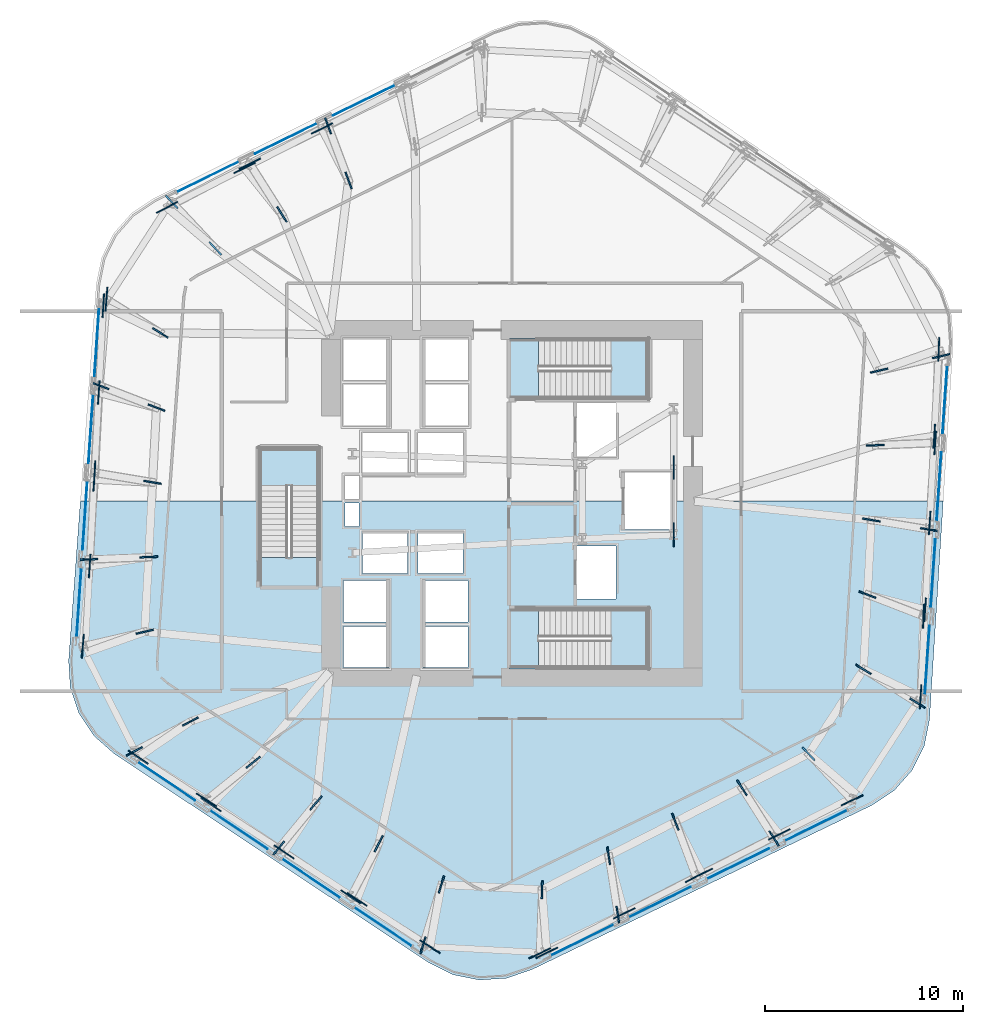
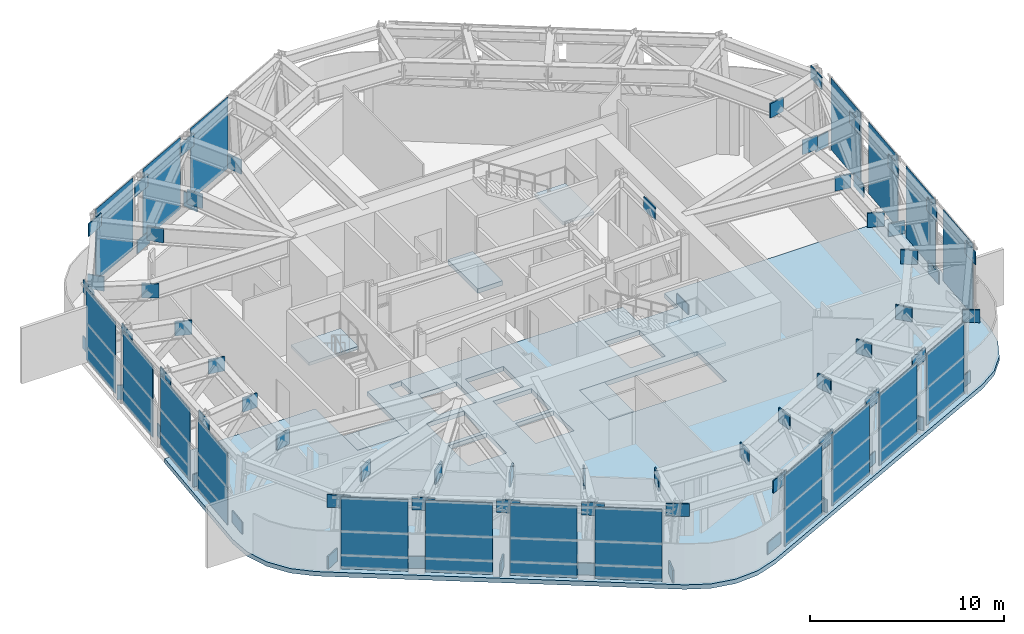
# One storey, part 7 of 14: 88 plates, 7 slabs, 8 elements without a shape of their own.
"""IFC4 building model written with IfcOpenShell, lengths in metres."""

from ifc_helpers import new_model, si_unit, direction, frame, origin, origin_2d, place, context, subcontext, project, spatial, polyline, rectangle, outline, extrude, material, layer, layer_set, type_object, element, aggregate, save


model = new_model("IFC4")

# Units and contexts
model_context = context("Model", 3, precision=1e-05, world=origin(), true_north=direction((0.0, 1.0)))
body_context = subcontext(model_context, "Body", "Model", "MODEL_VIEW")
ifc_project = project(units=[si_unit("LENGTHUNIT", "METRE"), si_unit("AREAUNIT", "SQUARE_METRE"), si_unit("VOLUMEUNIT", "CUBIC_METRE"), si_unit("PLANEANGLEUNIT", "RADIAN"), si_unit("MASSUNIT", "GRAM", prefix="KILO")], contexts=[model_context])

# Site, building, storey
site_placement = place(None, origin())
site = spatial("IfcSite", under=ifc_project, at=site_placement, CompositionType="ELEMENT")
building_placement = place(site_placement, origin())
building = spatial("IfcBuilding", under=site, at=building_placement, Name="Valkerne Bourse Tower", CompositionType="ELEMENT")
storey_placement = place(building_placement, frame((0.0, 0.0, 135.199951171875)))
storey = spatial("IfcBuildingStorey", under=building, at=storey_placement, Name="L34", CompositionType="ELEMENT", Elevation=135.199951171875)

# Curtain wall, plates
ifc_material_1 = material(Name="Aluminium AA 6063-T6", Category="aluminium")
ifc_layer_1 = layer(ifc_material_1, 0.25)
ifc_layer_set_1 = layer_set([ifc_layer_1], Name="Aluminium AA 6063-T6")
curtain_wall_type = type_object("IfcCurtainWallType", Name="CW-06", PredefinedType="NOTDEFINED", material=ifc_layer_set_1)
curtain_wall_1_placement = place(storey_placement, origin())
curtain_wall_1 = element("IfcCurtainWall", 1, at=curtain_wall_1_placement, inside=storey, type_object=curtain_wall_type, Name="L34 Hexagonal Stick Curtain Wall Face 2", PredefinedType="NOTDEFINED")
ifc_material_2 = material(Name="Bronze Anodised Aluminium AA 6063-T6", Category="aluminium")
ifc_layer_2 = layer(ifc_material_2, 0.0400390625)
ifc_layer_set_2 = layer_set([ifc_layer_2], Name="Bronze Anodised Aluminium AA 6063-T6")
plate_type_1 = type_object("IfcPlateType", Name="CW-PNL-LOUVRE-40", PredefinedType="CURTAIN_PANEL", material=ifc_layer_set_2)
plate_1_placement = place(storey_placement, frame((39.341064453125, 47.206787109375, 0.030029296875), z_axis=(0.0, 0.0, 1.0), x_axis=(-0.898029964785, -0.439934293216, 0.0)))
plate_1 = element("IfcPlate", 2, at=plate_1_placement, type_object=plate_type_1, Name="CW-L34-F2 Curtain Panel 01", PredefinedType="CURTAIN_PANEL", context=body_context, shape_type="SweptSolid", body=[
    extrude(rectangle(XDim=3.462890625, YDim=0.0400390625, at=origin_2d()), origin(), (0.0, 0.0, 1.0), 4.52001953125),
])
plate_2_placement = place(storey_placement, frame((35.405029296875, 45.278564453125, 0.030029296875), z_axis=(0.0, 0.0, 1.0), x_axis=(-0.898025366762, -0.439943678955, 0.0)))
plate_2 = element("IfcPlate", 3, at=plate_2_placement, type_object=plate_type_1, Name="CW-L34-F2 Curtain Panel 02", PredefinedType="CURTAIN_PANEL", context=body_context, shape_type="SweptSolid", body=[
    extrude(rectangle(XDim=3.462890625, YDim=0.0400390625, at=origin_2d()), origin(), (0.0, 0.0, 1.0), 4.52001953125),
])
plate_3_placement = place(storey_placement, frame((31.468994140625, 43.350341796875, 0.030029296875), z_axis=(0.0, 0.0, 1.0), x_axis=(-0.898020950754, -0.439952692919, 0.0)))
plate_3 = element("IfcPlate", 4, at=plate_3_placement, type_object=plate_type_1, Name="CW-L34-F2 Curtain Panel 03", PredefinedType="CURTAIN_PANEL", context=body_context, shape_type="SweptSolid", body=[
    extrude(rectangle(XDim=3.462890625, YDim=0.0400390625, at=origin_2d()), origin(), (0.0, 0.0, 1.0), 4.52001953125),
])
aggregate(curtain_wall_1, [plate_1, plate_2, plate_3])

curtain_wall_2_placement = place(storey_placement, origin())
curtain_wall_2 = element("IfcCurtainWall", 5, at=curtain_wall_2_placement, inside=storey, type_object=curtain_wall_type, Name="L34 Hexagonal Stick Curtain Wall Face 3", PredefinedType="NOTDEFINED")
plate_4_placement = place(storey_placement, frame((25.869140625, 35.0166015625, 0.030029296875), z_axis=(0.0, 0.0, 1.0), x_axis=(-0.068012017201, -0.997684501993, 0.0)))
plate_4 = element("IfcPlate", 6, at=plate_4_placement, type_object=plate_type_1, Name="CW-L34-F3 Curtain Panel 00", PredefinedType="CURTAIN_PANEL", context=body_context, shape_type="SweptSolid", body=[
    extrude(rectangle(XDim=3.462890625, YDim=0.0400390625, at=origin_2d()), origin(), (0.0, 0.0, 1.0), 4.52001953125),
])
plate_5_placement = place(storey_placement, frame((25.571044921875, 30.643798828125, 0.030029296875), z_axis=(0.0, 0.0, 1.0), x_axis=(-0.068013565363, -0.997684396453, 0.0)))
plate_5 = element("IfcPlate", 7, at=plate_5_placement, type_object=plate_type_1, Name="CW-L34-F3 Curtain Panel 01", PredefinedType="CURTAIN_PANEL", context=body_context, shape_type="SweptSolid", body=[
    extrude(rectangle(XDim=3.462890625, YDim=0.0400390625, at=origin_2d()), origin(), (0.0, 0.0, 1.0), 4.52001953125),
])
plate_6_placement = place(storey_placement, frame((25.272705078125, 26.27099609375, 0.030029296875), z_axis=(0.0, 0.0, 1.0), x_axis=(-0.068012017201, -0.997684501993, 0.0)))
plate_6 = element("IfcPlate", 8, at=plate_6_placement, type_object=plate_type_1, Name="CW-L34-F3 Curtain Panel 02", PredefinedType="CURTAIN_PANEL", context=body_context, shape_type="SweptSolid", body=[
    extrude(rectangle(XDim=3.462890625, YDim=0.0400390625, at=origin_2d()), origin(), (0.0, 0.0, 1.0), 4.52001953125),
])
plate_7_placement = place(storey_placement, frame((24.974853515625, 21.898193359375, 0.030029296875), z_axis=(0.0, 0.0, 1.0), x_axis=(-0.068013565363, -0.997684396453, 0.0)))
plate_7 = element("IfcPlate", 9, at=plate_7_placement, type_object=plate_type_1, Name="CW-L34-F3 Curtain Panel 03", PredefinedType="CURTAIN_PANEL", context=body_context, shape_type="SweptSolid", body=[
    extrude(rectangle(XDim=3.462890625, YDim=0.0400390625, at=origin_2d()), origin(), (0.0, 0.0, 1.0), 4.52001953125),
])
aggregate(curtain_wall_2, [plate_4, plate_5, plate_6, plate_7])

curtain_wall_3_placement = place(storey_placement, origin())
curtain_wall_3 = element("IfcCurtainWall", 10, at=curtain_wall_3_placement, inside=storey, type_object=curtain_wall_type, Name="L34 Hexagonal Stick Curtain Wall Face 4", PredefinedType="NOTDEFINED")
plate_8_placement = place(storey_placement, frame((29.391845703125, 12.881591796875, 0.030029296875), z_axis=(0.0, 0.0, 1.0), x_axis=(0.830015933895, -0.557739678955, 0.0)))
plate_8 = element("IfcPlate", 11, at=plate_8_placement, type_object=plate_type_1, Name="CW-L34-F4 Curtain Panel 00", PredefinedType="CURTAIN_PANEL", context=body_context, shape_type="SweptSolid", body=[
    extrude(rectangle(XDim=3.463134765625, YDim=0.0400390625, at=origin_2d()), origin(), (0.0, 0.0, 1.0), 4.52001953125),
])
plate_9_placement = place(storey_placement, frame((33.02978515625, 10.43701171875, 0.030029296875), z_axis=(0.0, 0.0, 1.0), x_axis=(0.830008836501, -0.557750240996, 0.0)))
plate_9 = element("IfcPlate", 12, at=plate_9_placement, type_object=plate_type_1, Name="CW-L34-F4 Curtain Panel 01", PredefinedType="CURTAIN_PANEL", context=body_context, shape_type="SweptSolid", body=[
    extrude(rectangle(XDim=3.462890625, YDim=0.0400390625, at=origin_2d()), origin(), (0.0, 0.0, 1.0), 4.52001953125),
])
plate_10_placement = place(storey_placement, frame((36.667724609375, 7.992431640625, 0.030029296875), z_axis=(0.0, 0.0, 1.0), x_axis=(0.830015933895, -0.557739678955, 0.0)))
plate_10 = element("IfcPlate", 13, at=plate_10_placement, type_object=plate_type_1, Name="CW-L34-F4 Curtain Panel 02", PredefinedType="CURTAIN_PANEL", context=body_context, shape_type="SweptSolid", body=[
    extrude(rectangle(XDim=3.463134765625, YDim=0.0400390625, at=origin_2d()), origin(), (0.0, 0.0, 1.0), 4.52001953125),
])
plate_11_placement = place(storey_placement, frame((40.305908203125, 5.5478515625, 0.030029296875), z_axis=(0.0, 0.0, 1.0), x_axis=(0.830008836501, -0.557750240996, 0.0)))
plate_11 = element("IfcPlate", 14, at=plate_11_placement, type_object=plate_type_1, Name="CW-L34-F4 Curtain Panel 03", PredefinedType="CURTAIN_PANEL", context=body_context, shape_type="SweptSolid", body=[
    extrude(rectangle(XDim=3.462890625, YDim=0.0400390625, at=origin_2d()), origin(), (0.0, 0.0, 1.0), 4.52001953125),
])
aggregate(curtain_wall_3, [plate_8, plate_9, plate_10, plate_11])

curtain_wall_4_placement = place(storey_placement, origin())
curtain_wall_4 = element("IfcCurtainWall", 15, at=curtain_wall_4_placement, inside=storey, type_object=curtain_wall_type, Name="L34 Hexagonal Stick Curtain Wall Face 5", PredefinedType="NOTDEFINED")
plate_12_placement = place(storey_placement, frame((50.322998046875, 4.864990234375, 0.030029296875), z_axis=(0.0, 0.0, 1.0), x_axis=(0.898025366762, 0.439943678955, 0.0)))
plate_12 = element("IfcPlate", 16, at=plate_12_placement, type_object=plate_type_1, Name="CW-L34-F5 Curtain Panel 00", PredefinedType="CURTAIN_PANEL", context=body_context, shape_type="SweptSolid", body=[
    extrude(rectangle(XDim=3.462890625, YDim=0.0400390625, at=origin_2d()), origin(), (0.0, 0.0, 1.0), 4.52001953125),
])
plate_13_placement = place(storey_placement, frame((54.2587890625, 6.793212890625, 0.030029296875), z_axis=(0.0, 0.0, 1.0), x_axis=(0.898029964785, 0.439934293216, 0.0)))
plate_13 = element("IfcPlate", 17, at=plate_13_placement, type_object=plate_type_1, Name="CW-L34-F5 Curtain Panel 01", PredefinedType="CURTAIN_PANEL", context=body_context, shape_type="SweptSolid", body=[
    extrude(rectangle(XDim=3.462890625, YDim=0.0400390625, at=origin_2d()), origin(), (0.0, 0.0, 1.0), 4.52001953125),
])
plate_14_placement = place(storey_placement, frame((58.195068359375, 8.721435546875, 0.030029296875), z_axis=(0.0, 0.0, 1.0), x_axis=(0.898025366762, 0.439943678955, 0.0)))
plate_14 = element("IfcPlate", 18, at=plate_14_placement, type_object=plate_type_1, Name="CW-L34-F5 Curtain Panel 02", PredefinedType="CURTAIN_PANEL", context=body_context, shape_type="SweptSolid", body=[
    extrude(rectangle(XDim=3.462890625, YDim=0.0400390625, at=origin_2d()), origin(), (0.0, 0.0, 1.0), 4.52001953125),
])
plate_15_placement = place(storey_placement, frame((62.131103515625, 10.64990234375, 0.030029296875), z_axis=(0.0, 0.0, 1.0), x_axis=(0.898020950754, 0.439952692919, 0.0)))
plate_15 = element("IfcPlate", 19, at=plate_15_placement, type_object=plate_type_1, Name="CW-L34-F5 Curtain Panel 03", PredefinedType="CURTAIN_PANEL", context=body_context, shape_type="SweptSolid", body=[
    extrude(rectangle(XDim=3.462890625, YDim=0.0400390625, at=origin_2d()), origin(), (0.0, 0.0, 1.0), 4.52001953125),
])
aggregate(curtain_wall_4, [plate_12, plate_13, plate_14, plate_15])

curtain_wall_5_placement = place(storey_placement, origin())
curtain_wall_5 = element("IfcCurtainWall", 20, at=curtain_wall_5_placement, inside=storey, type_object=curtain_wall_type, Name="L34 Hexagonal Stick Curtain Wall Face 6", PredefinedType="NOTDEFINED")
plate_16_placement = place(storey_placement, frame((67.73095703125, 18.9833984375, 0.030029296875), z_axis=(0.0, 0.0, 1.0), x_axis=(0.068012017201, 0.997684501993, 0.0)))
plate_16 = element("IfcPlate", 21, at=plate_16_placement, type_object=plate_type_1, Name="CW-L34-F6 Curtain Panel 00", PredefinedType="CURTAIN_PANEL", context=body_context, shape_type="SweptSolid", body=[
    extrude(rectangle(XDim=3.462890625, YDim=0.0400390625, at=origin_2d()), origin(), (0.0, 0.0, 1.0), 4.52001953125),
])
plate_17_placement = place(storey_placement, frame((68.029052734375, 23.356201171875, 0.030029296875), z_axis=(0.0, 0.0, 1.0), x_axis=(0.068013565363, 0.997684396453, 0.0)))
plate_17 = element("IfcPlate", 22, at=plate_17_placement, type_object=plate_type_1, Name="CW-L34-F6 Curtain Panel 01", PredefinedType="CURTAIN_PANEL", context=body_context, shape_type="SweptSolid", body=[
    extrude(rectangle(XDim=3.462890625, YDim=0.0400390625, at=origin_2d()), origin(), (0.0, 0.0, 1.0), 4.52001953125),
])
plate_18_placement = place(storey_placement, frame((68.3271484375, 27.72900390625, 0.030029296875), z_axis=(0.0, 0.0, 1.0), x_axis=(0.068012017201, 0.997684501993, 0.0)))
plate_18 = element("IfcPlate", 23, at=plate_18_placement, type_object=plate_type_1, Name="CW-L34-F6 Curtain Panel 02", PredefinedType="CURTAIN_PANEL", context=body_context, shape_type="SweptSolid", body=[
    extrude(rectangle(XDim=3.462890625, YDim=0.0400390625, at=origin_2d()), origin(), (0.0, 0.0, 1.0), 4.52001953125),
])
plate_19_placement = place(storey_placement, frame((68.625244140625, 32.101806640625, 0.030029296875), z_axis=(0.0, 0.0, 1.0), x_axis=(0.068013565363, 0.997684396453, 0.0)))
plate_19 = element("IfcPlate", 24, at=plate_19_placement, type_object=plate_type_1, Name="CW-L34-F6 Curtain Panel 03", PredefinedType="CURTAIN_PANEL", context=body_context, shape_type="SweptSolid", body=[
    extrude(rectangle(XDim=3.462890625, YDim=0.0400390625, at=origin_2d()), origin(), (0.0, 0.0, 1.0), 4.52001953125),
])
aggregate(curtain_wall_5, [plate_16, plate_17, plate_18, plate_19])

# Plates
ifc_material_3 = material(Name="Steel ASTM A572 Grade 50", Category="steel")
ifc_layer_3 = layer(ifc_material_3, 0.06005859375)
ifc_layer_set_3 = layer_set([ifc_layer_3], Name="Steel ASTM A572 Grade 50")
plate_type_2 = type_object("IfcPlateType", Name="PLT-GUS-60", PredefinedType="SHEET", material=ifc_layer_set_3)
for number, where, z_axis, x_axis, name in (
    (25, (37.226318359375, 45.789306640625, 3.72998046875), (0.0, 0.0, 1.0), (-0.898027575761, -0.439939169856, 0.0), "L34 Belt Truss Gusset Plate GP-047"),
    (26, (33.321044921875, 43.799560546875, 3.72998046875), (0.0, 0.0, 1.0), (-0.898027575761, -0.439939169856, 0.0), "L34 Belt Truss Gusset Plate GP-048"),
    (27, (26.199951171875, 36.857666015625, 3.72998046875), (0.0, 0.0, 1.0), (-0.068015290665, -0.997684278836, 0.0), "L34 Belt Truss Gusset Plate GP-049"),
    (28, (25.970703125, 32.480712890625, 3.72998046875), (0.0, 0.0, 1.0), (-0.068015290665, -0.997684278836, 0.0), "L34 Belt Truss Gusset Plate GP-050"),
    (29, (25.7412109375, 28.103515625, 3.72998046875), (0.0, 0.0, 1.0), (-0.068015290665, -0.997684278836, 0.0), "L34 Belt Truss Gusset Plate GP-051"),
    (30, (25.51171875, 23.726806640625, 3.72998046875), (0.0, 0.0, 1.0), (-0.068015290665, -0.997684278836, 0.0), "L34 Belt Truss Gusset Plate GP-052"),
    (31, (27.962890625, 14.088623046875, 3.72998046875), (0.0, 0.0, 1.0), (0.830012285095, -0.55774510898, 0.0), "L34 Belt Truss Gusset Plate GP-053"),
    (32, (31.638916015625, 11.701416015625, 3.72998046875), (0.0, 0.0, 1.0), (0.830012285095, -0.55774510898, 0.0), "L34 Belt Truss Gusset Plate GP-054"),
    (33, (35.314697265625, 9.314453125, 3.72998046875), (0.0, 0.0, 1.0), (0.830012285095, -0.55774510898, 0.0), "L34 Belt Truss Gusset Plate GP-055"),
    (34, (38.99072265625, 6.92724609375, 3.72998046875), (0.0, 0.0, 1.0), (0.830012285095, -0.55774510898, 0.0), "L34 Belt Truss Gusset Plate GP-056"),
    (35, (48.56298828125, 4.23095703125, 3.72998046875), (0.0, 0.0, 1.0), (0.898027575761, 0.439939169856, 0.0), "L34 Belt Truss Gusset Plate GP-057"),
    (36, (52.46826171875, 6.220947265625, 3.72998046875), (0.0, 0.0, 1.0), (0.898027575761, 0.439939169856, 0.0), "L34 Belt Truss Gusset Plate GP-058"),
    (37, (56.37353515625, 8.210693359375, 3.72998046875), (0.0, 0.0, 1.0), (0.898027575761, 0.439939169856, 0.0), "L34 Belt Truss Gusset Plate GP-059"),
    (38, (60.27880859375, 10.200439453125, 3.72998046875), (0.0, 0.0, 1.0), (0.898027575761, 0.439939169856, 0.0), "L34 Belt Truss Gusset Plate GP-060"),
    (39, (67.39990234375, 17.142333984375, 3.72998046875), (0.0, 0.0, 1.0), (0.068015290665, 0.997684278836, 0.0), "L34 Belt Truss Gusset Plate GP-061"),
    (40, (67.62939453125, 21.519287109375, 3.72998046875), (0.0, 0.0, 1.0), (0.068015290665, 0.997684278836, 0.0), "L34 Belt Truss Gusset Plate GP-062"),
    (41, (67.85888671875, 25.896484375, 3.72998046875), (0.0, 0.0, 1.0), (0.068015290665, 0.997684278836, 0.0), "L34 Belt Truss Gusset Plate GP-063"),
    (42, (68.088134765625, 30.273193359375, 3.72998046875), (0.0, 0.0, 1.0), (0.068015290665, 0.997684278836, 0.0), "L34 Belt Truss Gusset Plate GP-064"),
    (43, (33.586669921875, 44.009033203125, -0.0498046875), (0.0, 0.0, 1.0), (0.898334492373, 0.439312121178, 0.0), "L34 Brace Node Gusset Plate PLT-GUS-END-L34-171"),
    (44, (29.415771484375, 41.8095703125, 3.830078125), (0.0, 0.0, 1.0), (-0.884499561918, -0.466541021741, 0.0), "L34 Brace Node Gusset Plate PLT-GUS-END-L34-172"),
    (45, (26.357421875, 37.179931640625, -0.0498046875), (0.0, 0.0, 1.0), (-0.08193850863, -0.996637386818, 0.0), "L34 Brace Node Gusset Plate PLT-GUS-END-L34-173"),
    (46, (25.760986328125, 28.434326171875, -0.0498046875), (0.0, 0.0, 1.0), (0.05163876861, 0.998665828782, 0.0), "L34 Brace Node Gusset Plate PLT-GUS-END-L34-174"),
    (47, (25.164794921875, 19.688720703125, -0.0498046875), (0.0, 0.0, 1.0), (0.085590816895, 0.99633037295, 0.0), "L34 Brace Node Gusset Plate PLT-GUS-END-L34-175"),
    (48, (31.400390625, 11.94140625, -0.0498046875), (0.0, 0.0, 1.0), (-0.848140571599, 0.529771243848, 0.0), "L34 Brace Node Gusset Plate PLT-GUS-END-L34-176"),
    (49, (38.676513671875, 7.05224609375, -0.0498046875), (0.0, 0.0, 1.0), (-0.829622703317, 0.558324430902, 0.0), "L34 Brace Node Gusset Plate PLT-GUS-END-L34-177"),
    (50, (42.66650390625, 4.5400390625, 3.830078125), (0.0, 0.0, 1.0), (0.846193166128, -0.532876276071, 0.0), "L34 Brace Node Gusset Plate PLT-GUS-END-L34-178"),
    (51, (48.205078125, 4.2060546875, -0.0498046875), (0.0, 0.0, 1.0), (0.904082549661, 0.427357863387, 0.0), "L34 Brace Node Gusset Plate PLT-GUS-END-L34-179"),
    (52, (56.077392578125, 8.0625, -0.0498046875), (0.0, 0.0, 1.0), (-0.890689361922, -0.454612428954, 0.0), "L34 Brace Node Gusset Plate PLT-GUS-END-L34-180"),
    (53, (63.949462890625, 11.919189453125, -0.0498046875), (0.0, 0.0, 1.0), (-0.905642821984, -0.424041364714, 0.0), "L34 Brace Node Gusset Plate PLT-GUS-END-L34-181"),
    (54, (67.540771484375, 21.19287109375, -0.0498046875), (0.0, 0.0, 1.0), (-0.034725069567, -0.999396902909, 0.0), "L34 Brace Node Gusset Plate PLT-GUS-END-L34-182"),
    (55, (68.136962890625, 29.938720703125, -0.0498046875), (0.0, 0.0, 1.0), (-0.068711789056, -0.997636552079, 0.0), "L34 Brace Node Gusset Plate PLT-GUS-END-L34-183"),
    (56, (68.317626953125, 34.650390625, 3.830078125), (0.0, 0.0, 1.0), (0.038387809088, 0.999262916411, 0.0), "L34 Brace Node Gusset Plate PLT-GUS-END-L34-184"),
    (57, (54.949951171875, 25.300048828125, -0.18017578125), (0.0, 0.0, 1.0), (0.0, 1.0, 0.0), "L34 Brace Node Gusset Plate PLT-GUS-END-L34-384"),
    (58, (54.949951171875, 28.699951171875, 3.8740234375), (0.0, 0.0, 1.0), (0.0, 1.0, 0.0), "L34 Brace Node Gusset Plate PLT-GUS-END-L34-385"),
):
    element("IfcPlate", number, at=place(storey_placement, frame(where, z_axis=z_axis, x_axis=x_axis)), inside=storey, type_object=plate_type_2, Name=name, PredefinedType="SHEET", context=body_context, shape_type="SweptSolid", body=[
        extrude(rectangle(XDim=1.199951171875, YDim=0.06005859375, at=origin_2d()), origin(), (0.0, 0.0, 1.0), 0.800048828125),
    ])
ifc_layer_4 = layer(ifc_material_3, 0.080078125)
ifc_layer_set_4 = layer_set([ifc_layer_4], Name="Steel ASTM A572 Grade 50")
plate_type_3 = type_object("IfcPlateType", Name="PLT-GUS-80", PredefinedType="SHEET", material=ifc_layer_set_4)
for number, where, z_axis, x_axis, name in (
    (59, (37.522705078125, 45.9375, -0.099853515625), (0.0, 0.0, 1.0), (0.351351480571, -0.936243631274, 0.0), "L34 Brace Node Gusset Plate PLT-GUS-END-L34-195"),
    (60, (38.56298828125, 43.165771484375, 3.5966796875), (0.0, 0.0, 1.0), (0.351351480571, -0.936243631274, 0.0), "L34 Brace Node Gusset Plate PLT-GUS-END-L34-196"),
    (61, (35.203125, 41.45361328125, 3.5966796875), (0.0, 0.0, 1.0), (0.53464736887, -0.845075257572, 0.0), "L34 Brace Node Gusset Plate PLT-GUS-END-L34-197"),
    (62, (29.650634765625, 42.080810546875, -0.099853515625), (0.0, 0.0, 1.0), (0.683910700219, -0.729565729819, 0.0), "L34 Brace Node Gusset Plate PLT-GUS-END-L34-198"),
    (63, (31.84326171875, 39.74169921875, 3.5966796875), (0.0, 0.0, 1.0), (0.683910700219, -0.729565729819, 0.0), "L34 Brace Node Gusset Plate PLT-GUS-END-L34-199"),
    (64, (29.076416015625, 35.481201171875, 3.5966796875), (0.0, 0.0, 1.0), (0.848048096156, -0.529919264233, 0.0), "L34 Brace Node Gusset Plate PLT-GUS-END-L34-200"),
    (65, (26.05908203125, 32.80712890625, -0.099853515625), (0.0, 0.0, 1.0), (0.93257603557, -0.360973597208, 0.0), "L34 Brace Node Gusset Plate PLT-GUS-END-L34-201"),
    (66, (28.87890625, 31.71533203125, 3.5966796875), (0.0, 0.0, 1.0), (0.93257603557, -0.360973597208, 0.0), "L34 Brace Node Gusset Plate PLT-GUS-END-L34-202"),
    (67, (28.681640625, 27.949462890625, 3.5966796875), (0.0, 0.0, 1.0), (0.9864865091, -0.163842507806, 0.0), "L34 Brace Node Gusset Plate PLT-GUS-END-L34-203"),
    (68, (25.462890625, 24.061279296875, -0.099853515625), (0.0, 0.0, 1.0), (0.999180325602, 0.040480574722, 0.0), "L34 Brace Node Gusset Plate PLT-GUS-END-L34-204"),
    (69, (28.484375, 24.18359375, 3.5966796875), (0.0, 0.0, 1.0), (0.999180325602, 0.040480574722, 0.0), "L34 Brace Node Gusset Plate PLT-GUS-END-L34-205"),
    (70, (28.286865234375, 20.41796875, 3.5966796875), (0.0, 0.0, 1.0), (0.973777805863, 0.2275011754, 0.0), "L34 Brace Node Gusset Plate PLT-GUS-END-L34-206"),
    (71, (27.762451171875, 14.385986328125, -0.099853515625), (0.0, 0.0, 1.0), (0.882947592859, 0.469471562786, 0.0), "L34 Brace Node Gusset Plate PLT-GUS-END-L34-207"),
    (72, (30.59326171875, 15.8916015625, 3.5966796875), (0.0, 0.0, 1.0), (0.882947592859, 0.469471562786, 0.0), "L34 Brace Node Gusset Plate PLT-GUS-END-L34-208"),
    (73, (33.755859375, 13.837646484375, 3.5966796875), (0.0, 0.0, 1.0), (0.779009769128, 0.627011785857, 0.0), "L34 Brace Node Gusset Plate PLT-GUS-END-L34-209"),
    (74, (35.038330078125, 9.496826171875, -0.099853515625), (0.0, 0.0, 1.0), (0.635000209429, 0.772511963678, 0.0), "L34 Brace Node Gusset Plate PLT-GUS-END-L34-210"),
    (75, (36.91845703125, 11.78369140625, 3.5966796875), (0.0, 0.0, 1.0), (0.635000209429, 0.772511963678, 0.0), "L34 Brace Node Gusset Plate PLT-GUS-END-L34-211"),
    (76, (40.0810546875, 9.72998046875, 3.5966796875), (0.0, 0.0, 1.0), (0.464532956732, 0.885555832294, 0.0), "L34 Brace Node Gusset Plate PLT-GUS-END-L34-212"),
    (77, (42.314208984375, 4.607666015625, -0.099853515625), (0.0, 0.0, 1.0), (0.289867105645, 0.957066905219, 0.0), "L34 Brace Node Gusset Plate PLT-GUS-END-L34-213"),
    (78, (43.24365234375, 7.676025390625, 3.5966796875), (0.0, 0.0, 1.0), (0.289867105645, 0.957066905219, 0.0), "L34 Brace Node Gusset Plate PLT-GUS-END-L34-214"),
    (79, (48.31689453125, 7.410400390625, 3.5966796875), (0.0, 0.0, 1.0), (0.034899496703, 0.999390827019, 0.0), "L34 Brace Node Gusset Plate PLT-GUS-END-L34-215"),
    (80, (52.141357421875, 6.134521484375, -0.099853515625), (0.0, 0.0, 1.0), (-0.15350325046, 0.988148142789, 0.0), "L34 Brace Node Gusset Plate PLT-GUS-END-L34-216"),
    (81, (51.677001953125, 9.122314453125, 3.5966796875), (0.0, 0.0, 1.0), (-0.15350325046, 0.988148142789, 0.0), "L34 Brace Node Gusset Plate PLT-GUS-END-L34-217"),
    (82, (55.036865234375, 10.834228515625, 3.5966796875), (0.0, 0.0, 1.0), (-0.351351480571, 0.936243631274, 0.0), "L34 Brace Node Gusset Plate PLT-GUS-END-L34-218"),
    (83, (60.013427734375, 9.990966796875, -0.099853515625), (0.0, 0.0, 1.0), (-0.53464736887, 0.845075257572, 0.0), "L34 Brace Node Gusset Plate PLT-GUS-END-L34-219"),
    (84, (58.396728515625, 12.54638671875, 3.5966796875), (0.0, 0.0, 1.0), (-0.53464736887, 0.845075257572, 0.0), "L34 Brace Node Gusset Plate PLT-GUS-END-L34-220"),
    (85, (61.7568359375, 14.25830078125, 3.5966796875), (0.0, 0.0, 1.0), (-0.683910700219, 0.729565729819, 0.0), "L34 Brace Node Gusset Plate PLT-GUS-END-L34-221"),
    (86, (67.24267578125, 16.820068359375, -0.099853515625), (0.0, 0.0, 1.0), (-0.848048096156, 0.529919264233, 0.0), "L34 Brace Node Gusset Plate PLT-GUS-END-L34-222"),
    (87, (64.523681640625, 18.518798828125, 3.5966796875), (0.0, 0.0, 1.0), (-0.848048096156, 0.529919264233, 0.0), "L34 Brace Node Gusset Plate PLT-GUS-END-L34-223"),
    (88, (64.720947265625, 22.28466796875, 3.5966796875), (0.0, 0.0, 1.0), (-0.93257603557, 0.360973597208, 0.0), "L34 Brace Node Gusset Plate PLT-GUS-END-L34-224"),
    (89, (67.8388671875, 25.565673828125, -0.099853515625), (0.0, 0.0, 1.0), (-0.9864865091, 0.163842507806, 0.0), "L34 Brace Node Gusset Plate PLT-GUS-END-L34-225"),
    (90, (64.91845703125, 26.050537109375, 3.5966796875), (0.0, 0.0, 1.0), (-0.9864865091, 0.163842507806, 0.0), "L34 Brace Node Gusset Plate PLT-GUS-END-L34-226"),
    (91, (65.11572265625, 29.81640625, 3.5966796875), (0.0, 0.0, 1.0), (-0.999180325602, -0.040480574722, 0.0), "L34 Brace Node Gusset Plate PLT-GUS-END-L34-227"),
    (92, (68.43505859375, 34.311279296875, -0.099853515625), (0.0, 0.0, 1.0), (-0.973777805863, -0.2275011754, 0.0), "L34 Brace Node Gusset Plate PLT-GUS-END-L34-228"),
    (93, (65.31298828125, 33.58203125, 3.5966796875), (0.0, 0.0, 1.0), (-0.973777805863, -0.2275011754, 0.0), "L34 Brace Node Gusset Plate PLT-GUS-END-L34-229"),
):
    element("IfcPlate", number, at=place(storey_placement, frame(where, z_axis=z_axis, x_axis=x_axis)), inside=storey, type_object=plate_type_3, Name=name, PredefinedType="SHEET", context=body_context, shape_type="SweptSolid", body=[
        extrude(rectangle(XDim=0.89990234375, YDim=0.080078125, at=origin_2d()), origin(), (0.0, 0.0, 1.0), 0.89990234375),
    ])

# Slabs
ifc_material_4 = material(Name="Concrete C40/50", Category="concrete")
ifc_layer_5 = layer(ifc_material_4, 0.280029296875)
ifc_layer_set_5 = layer_set([ifc_layer_5], Name="Concrete C40/50")
slab_type_1 = type_object("IfcSlabType", Name="SLB-PLT-280", PredefinedType="FLOOR", material=ifc_layer_set_5)
slab_1_placement = place(storey_placement, frame((0.0, 0.0, -0.280029296875)))
element("IfcSlab", 94, at=slab_1_placement, inside=storey, type_object=slab_type_1, Name="L34 Hexagonal Composite Floor Slab S", PredefinedType="FLOOR", context=body_context, shape_type="SweptSolid", body=[
    extrude(outline(polyline([(67.5830078125, 14.656005859375), (66.9794921875, 13.43994140625), (66.081787109375, 12.421630859375), (64.951171875, 11.67041015625), (47.795654296875, 3.378662109375), (46.509033203125, 2.94580078125), (45.154296875, 2.860595703125), (43.823486328125, 3.12890625), (42.607666015625, 3.732421875), (26.736328125, 14.275634765625), (25.718017578125, 15.17333984375), (24.966796875, 16.30419921875), (24.533935546875, 17.5908203125), (24.44873046875, 18.9453125), (25.040771484375, 27.0), (34.034912109375, 27.0), (34.034912109375, 22.6650390625), (37.114990234375, 22.6650390625), (37.114990234375, 27.0), (52.360107421875, 27.0), (52.360107421875, 25.56005859375), (54.840087890625, 25.56005859375), (54.840087890625, 27.0), (68.54345703125, 27.0), (67.851318359375, 15.986572265625), (67.5830078125, 14.656005859375)]), holes=[polyline([(40.590087890625, 20.68994140625), (38.31005859375, 20.68994140625), (38.31005859375, 18.610107421875), (40.590087890625, 18.610107421875), (40.590087890625, 20.68994140625)]), polyline([(40.590087890625, 22.989990234375), (38.31005859375, 22.989990234375), (38.31005859375, 20.909912109375), (40.590087890625, 20.909912109375), (40.590087890625, 22.989990234375)]), polyline([(41.5400390625, 25.43994140625), (39.260009765625, 25.43994140625), (39.260009765625, 23.360107421875), (41.5400390625, 23.360107421875), (41.5400390625, 25.43994140625)]), polyline([(39.10009765625, 25.72998046875), (39.10009765625, 26.89990234375), (38.3798828125, 26.89990234375), (38.3798828125, 25.72998046875), (39.10009765625, 25.72998046875)]), polyline([(44.590087890625, 20.68994140625), (42.31005859375, 20.68994140625), (42.31005859375, 18.610107421875), (44.590087890625, 18.610107421875), (44.590087890625, 20.68994140625)]), polyline([(53.675048828125, 21.614990234375), (46.6650390625, 21.614990234375), (46.6650390625, 18.534912109375), (53.675048828125, 18.534912109375), (53.675048828125, 21.614990234375)]), polyline([(44.590087890625, 22.989990234375), (42.31005859375, 22.989990234375), (42.31005859375, 20.909912109375), (44.590087890625, 20.909912109375), (44.590087890625, 22.989990234375)]), polyline([(52.0400390625, 22.06005859375), (52.0400390625, 24.739990234375), (49.9599609375, 24.739990234375), (49.9599609375, 22.06005859375), (52.0400390625, 22.06005859375)]), polyline([(44.340087890625, 23.360107421875), (44.340087890625, 25.43994140625), (42.06005859375, 25.43994140625), (42.06005859375, 23.360107421875), (44.340087890625, 23.360107421875)])]), origin(), (0.0, 0.0, 1.0), 0.280029296875),
])
ifc_layer_6 = layer(ifc_material_4, 0.25)
ifc_layer_set_6 = layer_set([ifc_layer_6], Name="Concrete C40/50")
slab_type_2 = type_object("IfcSlabType", Name="SLB-RMP-LND-250", PredefinedType="LANDING", material=ifc_layer_set_6)
slab_2_placement = place(storey_placement, frame((0.0, 0.0, -0.280029296875)))
element("IfcSlab", 95, at=slab_2_placement, inside=storey, type_object=slab_type_2, Name="L34 ST-1 Floor Landing Slab", PredefinedType="LANDING", context=body_context, shape_type="SweptSolid", body=[
    extrude(outline(polyline([(46.669921875, 18.5400390625), (48.14990234375, 18.5400390625), (48.14990234375, 21.610107421875), (46.669921875, 21.610107421875), (46.669921875, 18.5400390625)])), origin(), (0.0, 0.0, 1.0), 0.280029296875),
])
slab_3_placement = place(storey_placement, frame((0.0, 0.0, -0.280029296875)))
element("IfcSlab", 96, at=slab_3_placement, inside=storey, type_object=slab_type_2, Name="L34 ST-2 Floor Landing Slab", PredefinedType="LANDING", context=body_context, shape_type="SweptSolid", body=[
    extrude(outline(polyline([(46.669921875, 32.139892578125), (48.14990234375, 32.139892578125), (48.14990234375, 35.2099609375), (46.669921875, 35.2099609375), (46.669921875, 32.139892578125)])), origin(), (0.0, 0.0, 1.0), 0.280029296875),
])
slab_4_placement = place(storey_placement, frame((0.0, 0.0, -0.280029296875)))
element("IfcSlab", 97, at=slab_4_placement, inside=storey, type_object=slab_type_2, Name="L34 ST-3 Floor Landing Slab", PredefinedType="LANDING", context=body_context, shape_type="SweptSolid", body=[
    extrude(outline(polyline([(37.110107421875, 22.669921875), (37.110107421875, 24.14990234375), (34.0400390625, 24.14990234375), (34.0400390625, 22.669921875), (37.110107421875, 22.669921875)])), origin(), (0.0, 0.0, 1.0), 0.280029296875),
])

# Stair, slab
stair_type = type_object("IfcStairType", Name="ST-CORE-1400", PredefinedType="HALF_TURN_STAIR", material=ifc_material_4)
stair_1_placement = place(storey_placement, origin())
stair_1 = element("IfcStair", 98, at=stair_1_placement, inside=storey, type_object=stair_type, Name="L34 ST-1", PredefinedType="HALF_TURN_STAIR")
ifc_layer_7 = layer(ifc_material_4, 0.179931640625)
ifc_layer_set_7 = layer_set([ifc_layer_7], Name="Concrete C40/50")
slab_type_3 = type_object("IfcSlabType", Name="SLB-ST-LND-180", PredefinedType="LANDING", material=ifc_layer_set_7)
slab_5_placement = place(storey_placement, frame((0.0, 0.0, 2.199951171875)))
slab_5 = element("IfcSlab", 99, at=slab_5_placement, type_object=slab_type_3, Name="ST-1 landing 1", PredefinedType="LANDING", context=body_context, shape_type="SweptSolid", body=[
    extrude(outline(polyline([(51.7900390625, 18.60009765625), (53.64990234375, 18.60009765625), (53.64990234375, 21.550048828125), (51.7900390625, 21.550048828125), (51.7900390625, 18.60009765625)])), origin(), (0.0, 0.0, 1.0), 0.2001953125),
])
aggregate(stair_1, [slab_5])

stair_2_placement = place(storey_placement, origin())
stair_2 = element("IfcStair", 100, at=stair_2_placement, inside=storey, type_object=stair_type, Name="L34 ST-2", PredefinedType="HALF_TURN_STAIR")
slab_6_placement = place(storey_placement, frame((0.0, 0.0, 2.199951171875)))
slab_6 = element("IfcSlab", 101, at=slab_6_placement, type_object=slab_type_3, Name="ST-2 landing 1", PredefinedType="LANDING", context=body_context, shape_type="SweptSolid", body=[
    extrude(outline(polyline([(51.7900390625, 32.199951171875), (53.64990234375, 32.199951171875), (53.64990234375, 35.14990234375), (51.7900390625, 35.14990234375), (51.7900390625, 32.199951171875)])), origin(), (0.0, 0.0, 1.0), 0.2001953125),
])
aggregate(stair_2, [slab_6])

stair_3_placement = place(storey_placement, origin())
stair_3 = element("IfcStair", 102, at=stair_3_placement, inside=storey, type_object=stair_type, Name="L34 ST-3", PredefinedType="HALF_TURN_STAIR")
slab_7_placement = place(storey_placement, frame((0.0, 0.0, 2.199951171875)))
slab_7 = element("IfcSlab", 103, at=slab_7_placement, type_object=slab_type_3, Name="ST-3 landing 1", PredefinedType="LANDING", context=body_context, shape_type="SweptSolid", body=[
    extrude(outline(polyline([(37.050048828125, 27.7900390625), (37.050048828125, 29.64990234375), (34.10009765625, 29.64990234375), (34.10009765625, 27.7900390625), (37.050048828125, 27.7900390625)])), origin(), (0.0, 0.0, 1.0), 0.2001953125),
])
aggregate(stair_3, [slab_7])

save(model, "model.ifc")
